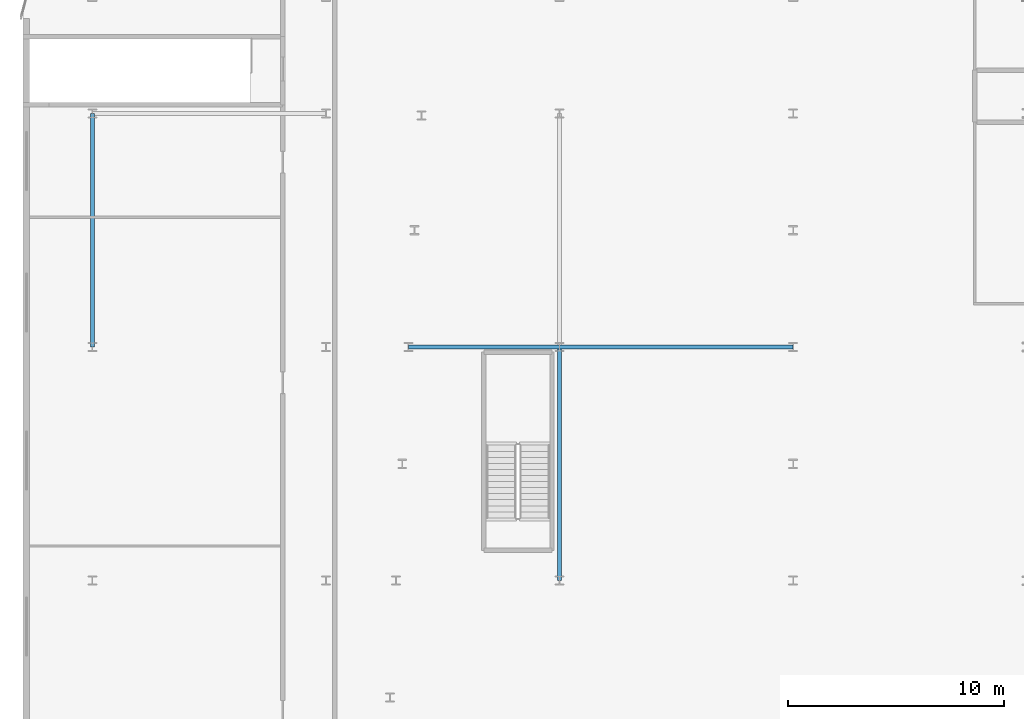
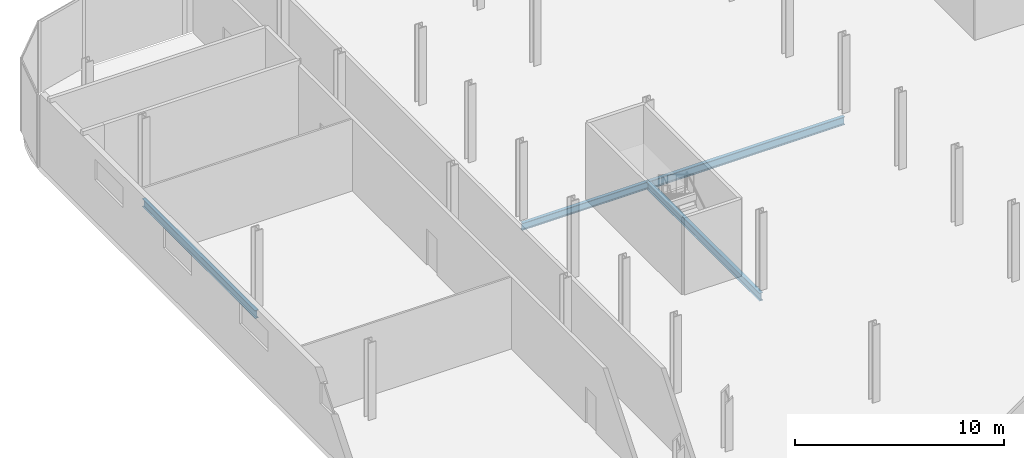
# One storey, part 15 of 43: 4 beams.
"""IFC4 building model written with IfcOpenShell, lengths in metres."""

import ifcopenshell
import ifcopenshell.guid

model = None  # the IFC model being written
_history = None  # IfcOwnerHistory: only IFC2X3 demands one
_inside = {}  # id of a spatial element -> (the spatial element, [elements in it])
_under = {}  # id of a project, library or spatial element -> (it, [spatial elements below it])
_declared = {}  # id of a project -> (the project, [libraries it declares])
_typed = {}  # id of a type object -> (the type object, [elements of that type])
_made_of = {}  # id of a material, layer set ... -> (it, [elements and type objects made of it])


def new_model(schema):
    """Start an empty IFC model of exactly this schema.

    Asked for "IFC4X3", IfcOpenShell would pick the latest addendum, in which some entities
    have other attributes; the version numbers below select the first issue.
    IFC2X3 requires an IfcOwnerHistory on every rooted entity: one is made here for all.
    """
    global model, _history
    if schema == "IFC4X3":
        model = ifcopenshell.file(schema_version=(4, 3, 0, 0))
    else:
        model = ifcopenshell.file(schema=schema)
    _inside.clear()
    _under.clear()
    _declared.clear()
    _typed.clear()
    _made_of.clear()
    _history = None
    if model.schema == "IFC2X3":
        org = make("IfcOrganization", Name="unknown")
        user = make(
            "IfcPersonAndOrganization",
            ThePerson=make("IfcPerson", FamilyName="unknown"),
            TheOrganization=org,
        )
        app = make(
            "IfcApplication",
            ApplicationDeveloper=org,
            Version="unknown",
            ApplicationFullName="unknown",
            ApplicationIdentifier="unknown",
        )
        _history = make(
            "IfcOwnerHistory",
            OwningUser=user,
            OwningApplication=app,
            ChangeAction="ADDED",
            CreationDate=0,
        )
    return model


def make(cls, **values):
    """One entity of the class cls with the attributes given. An attribute that is None is left unset."""
    return model.create_entity(
        cls, **{name: value for name, value in values.items() if value is not None}
    )


def rooted(cls, **values):
    """An entity with a GlobalId (a new one), such as an element, a storey or a relation."""
    return make(cls, GlobalId=ifcopenshell.guid.new(), OwnerHistory=_history, **values)


def si_unit(unit_type, name, prefix=None):
    """IfcSIUnit, for example si_unit("LENGTHUNIT", "METRE", prefix="MILLI")."""
    return make("IfcSIUnit", UnitType=unit_type, Prefix=prefix, Name=name)


def assignment(units):
    """IfcUnitAssignment: the units of a project."""
    return None if units is None else make("IfcUnitAssignment", Units=units)


def point(xyz):
    """IfcCartesianPoint."""
    return None if xyz is None else make("IfcCartesianPoint", Coordinates=xyz)


def direction(xyz):
    """IfcDirection."""
    return None if xyz is None else make("IfcDirection", DirectionRatios=xyz)


def frame(location, z_axis=None, x_axis=None):
    """IfcAxis2Placement3D, a coordinate frame: its origin and axes. An axis left out is left unset."""
    return make(
        "IfcAxis2Placement3D",
        Location=point(location),
        Axis=direction(z_axis),
        RefDirection=direction(x_axis),
    )


def frame_2d(location, x_axis=None):
    """IfcAxis2Placement2D, a coordinate frame in the plane: its origin and x axis."""
    return make(
        "IfcAxis2Placement2D", Location=point(location), RefDirection=direction(x_axis)
    )


def origin():
    """The frame at (0, 0, 0) with its axes left unset."""
    return frame((0.0, 0.0, 0.0))


def origin_2d():
    """The frame at (0, 0) in the plane with its x axis left unset."""
    return frame_2d((0.0, 0.0))


def place(relative_to, where):
    """IfcLocalPlacement: puts the frame where relative to a parent placement (None: the world)."""
    return make(
        "IfcLocalPlacement", PlacementRelTo=relative_to, RelativePlacement=where
    )


def context(
    kind, dimensions, precision=None, world=None, true_north=None, identifier=None
):
    """IfcGeometricRepresentationContext, for example the 3D "Model" context."""
    return make(
        "IfcGeometricRepresentationContext",
        ContextIdentifier=identifier,
        ContextType=kind,
        CoordinateSpaceDimension=dimensions,
        Precision=precision,
        WorldCoordinateSystem=world,
        TrueNorth=true_north,
    )


def subcontext(parent, identifier, kind, view, scale=None):
    """IfcGeometricRepresentationSubContext, for example "Body" below "Model"."""
    return make(
        "IfcGeometricRepresentationSubContext",
        ContextIdentifier=identifier,
        ContextType=kind,
        ParentContext=parent,
        TargetScale=scale,
        TargetView=view,
    )


def project(units=None, contexts=None):
    """IfcProject with its units and contexts."""
    return rooted(
        "IfcProject",
        Name="project",
        RepresentationContexts=contexts,
        UnitsInContext=assignment(units),
    )


def spatial(cls, under=None, at=None, **own):
    """A site, building, storey or space (cls), placed at a placement, below another one or the project."""
    s = rooted(cls, ObjectPlacement=at, **own)
    if under is not None:
        _under.setdefault(under.id(), (under, []))[1].append(s)
    return s


def profile(cls, at=None, kind="AREA", **sizes):
    """A parametric profile (cls). Its sizes go by their IFC names, for example OverallWidth=200.0."""
    return make(cls, ProfileType=kind, Position=at, **sizes)


def i_section(**sizes):
    """IfcIShapeProfileDef."""
    return profile("IfcIShapeProfileDef", **sizes)


def extrude(swept, where, along, depth):
    """IfcExtrudedAreaSolid: the profile swept, set in the frame where, extruded along a direction by depth."""
    return make(
        "IfcExtrudedAreaSolid",
        SweptArea=swept,
        Position=where,
        ExtrudedDirection=direction(along),
        Depth=depth,
    )


def shape(context_of_items, identifier, shape_type, items):
    """IfcShapeRepresentation: the items that make up one representation, for example the "Body"."""
    return make(
        "IfcShapeRepresentation",
        ContextOfItems=context_of_items,
        RepresentationIdentifier=identifier,
        RepresentationType=shape_type,
        Items=items,
    )


def material(Name=None, Category=None):
    """IfcMaterial."""
    return make("IfcMaterial", Name=Name, Category=Category)


def material_profile(
    of_material, cross_section, Name=None, Category=None, Priority=None
):
    """IfcMaterialProfile: a cross section and its material."""
    return make(
        "IfcMaterialProfile",
        Name=Name,
        Material=of_material,
        Profile=cross_section,
        Priority=Priority,
        Category=Category,
    )


def profile_set(profiles, Name=None, composite=None):
    """IfcMaterialProfileSet."""
    return make(
        "IfcMaterialProfileSet",
        Name=Name,
        MaterialProfiles=profiles,
        CompositeProfile=composite,
    )


def made_of(thing, what):
    """Note that an element or type object is made of a material, layer set ...; save() writes the relation."""
    if what is not None:
        _made_of.setdefault(what.id(), (what, []))[1].append(thing)
    return thing


def type_object(cls, material=None, **own):
    """A type object (cls), such as IfcWallType, which elements share."""
    return made_of(rooted(cls, **own), material)


def element(
    cls,
    number,
    at=None,
    inside=None,
    cuts=None,
    type_object=None,
    material=None,
    context=None,
    identifier="Body",
    shape_type=None,
    held_by="IfcProductDefinitionShape",
    body=None,
    shapes=None,
    **own,
):
    """One element of the class cls, such as IfcWall. Its Tag is "e" and its number.

    at: its placement. inside: the storey or other place that contains it. cuts: it is an
    opening in that element (IfcRelVoidsElement). A single representation is given by context,
    identifier, shape_type and body (its items); several are given by shapes. held_by: the class
    of the entity that holds the representations. save() writes the other relations.
    """
    e = rooted(cls, Tag="e%d" % number, ObjectPlacement=at, **own)
    if body is not None:
        shapes = [shape(context, identifier, shape_type, body)]
    if shapes is not None:
        e.Representation = make(held_by, Representations=shapes)
    if inside is not None:
        _inside.setdefault(inside.id(), (inside, []))[1].append(e)
    if cuts is not None:
        rooted(
            "IfcRelVoidsElement", RelatingBuildingElement=cuts, RelatedOpeningElement=e
        )
    if type_object is not None:
        _typed.setdefault(type_object.id(), (type_object, []))[1].append(e)
    return made_of(e, material)


def aggregate(whole, parts):
    """IfcRelAggregates: a whole, such as a stair, and the parts it consists of."""
    return rooted("IfcRelAggregates", RelatingObject=whole, RelatedObjects=parts)


def save(model, path):
    """Write the relations noted so far, then the file.

    IfcRelAggregates (storeys below a building ...), IfcRelContainedInSpatialStructure (elements
    in a storey), IfcRelDefinesByType, IfcRelAssociatesMaterial and IfcRelDeclares: one each for
    every whole, place, type object, material and project.
    """
    for whole, parts in _under.values():
        aggregate(whole, parts)
    for where, things in _inside.values():
        rooted(
            "IfcRelContainedInSpatialStructure",
            RelatedElements=things,
            RelatingStructure=where,
        )
    for kind, things in _typed.values():
        rooted("IfcRelDefinesByType", RelatedObjects=things, RelatingType=kind)
    for what, things in _made_of.values():
        rooted("IfcRelAssociatesMaterial", RelatedObjects=things, RelatingMaterial=what)
    for by, libraries in _declared.values():
        rooted("IfcRelDeclares", RelatingContext=by, RelatedDefinitions=libraries)
    model.write(path)


model = new_model("IFC4")

# Units and contexts
model_context = context("Model", 3, precision=1e-05, world=origin(), true_north=direction((0.0, 1.0)))
body_context = subcontext(model_context, "Body", "Model", "MODEL_VIEW")
ifc_project = project(units=[si_unit("LENGTHUNIT", "METRE"), si_unit("AREAUNIT", "SQUARE_METRE"), si_unit("VOLUMEUNIT", "CUBIC_METRE"), si_unit("PLANEANGLEUNIT", "RADIAN"), si_unit("MASSUNIT", "GRAM", prefix="KILO")], contexts=[model_context])

# Site, building, storey
site_placement = place(None, origin())
site = spatial("IfcSite", under=ifc_project, at=site_placement, CompositionType="ELEMENT")
building_placement = place(site_placement, origin())
building = spatial("IfcBuilding", under=site, at=building_placement, Name="Kheshtan School and Residences Tower", CompositionType="ELEMENT")
storey_placement = place(building_placement, frame((0.0, 0.0, 26.0)))
storey = spatial("IfcBuildingStorey", under=building, at=storey_placement, Name="L05", CompositionType="ELEMENT", Elevation=26.0)

# Beams
ifc_material = material(Name="Steel ASTM A992 Grade 50", Category="steel")
ifc_material_profile_1 = material_profile(ifc_material, i_section(OverallWidth=0.180908203125, OverallDepth=0.4169921875, WebThickness=0.010986328125, FlangeThickness=0.018310546875, FilletRadius=0.012451171875, at=origin_2d()), Name="W410x85")
ifc_profile_set_1 = profile_set([ifc_material_profile_1], Name="Steel ASTM A992 Grade 50")
beam_type_1 = type_object("IfcBeamType", Name="Beam PB1 W410x85 ASTM A992 Grade 50", PredefinedType="BEAM", material=ifc_profile_set_1)
beam_placement = place(storey_placement, frame((29.81005859375, 88.800048828125, -0.508544921875), z_axis=(1.0, 0.0, 0.0), x_axis=(0.0, 1.0, 0.0)))
element("IfcBeam", 1, at=beam_placement, inside=storey, type_object=beam_type_1, Name="Podium floor beam PB1", PredefinedType="BEAM", context=body_context, shape_type="SweptSolid", body=[
    extrude(i_section(OverallWidth=0.180908203125, OverallDepth=0.4169921875, WebThickness=0.010986328125, FlangeThickness=0.018310546875, FilletRadius=0.012451171875, at=origin_2d()), origin(), (0.0, 0.0, 1.0), 6.989990234375),
])
ifc_material_profile_2 = material_profile(ifc_material, i_section(OverallWidth=0.194091796875, OverallDepth=0.468994140625, WebThickness=0.0126953125, FlangeThickness=0.0205078125, FilletRadius=0.01416015625, at=origin_2d()), Name="W460x106")
ifc_profile_set_2 = profile_set([ifc_material_profile_2], Name="Steel ASTM A992 Grade 50")
beam_type_2 = type_object("IfcBeamType", Name="Beam PB2 W460x106 ASTM A992 Grade 50", PredefinedType="BEAM", material=ifc_profile_set_2)
for number, where, z_axis, x_axis, name in (
    (2, (15.199951171875, 88.800048828125, -0.534423828125), (0.0, 1.0, 0.0), (-1.0, 0.0, 0.0), "Podium floor beam PB2"),
    (3, (36.800048828125, 78.0, -0.534423828125), (0.0, 1.0, 0.0), (-1.0, 0.0, 0.0), "Podium floor beam PB2"),
    (4, (36.800048828125, 88.800048828125, -0.534423828125), (1.0, 0.0, 0.0), (0.0, 1.0, 0.0), "Podium floor beam PB2"),
):
    element("IfcBeam", number, at=place(storey_placement, frame(where, z_axis=z_axis, x_axis=x_axis)), inside=storey, type_object=beam_type_2, Name=name, PredefinedType="BEAM", context=body_context, shape_type="SweptSolid", body=[
        extrude(i_section(OverallWidth=0.194091796875, OverallDepth=0.468994140625, WebThickness=0.0126953125, FlangeThickness=0.0205078125, FilletRadius=0.01416015625, at=origin_2d()), origin(), (0.0, 0.0, 1.0), 10.800048828125),
    ])

save(model, "model.ifc")
